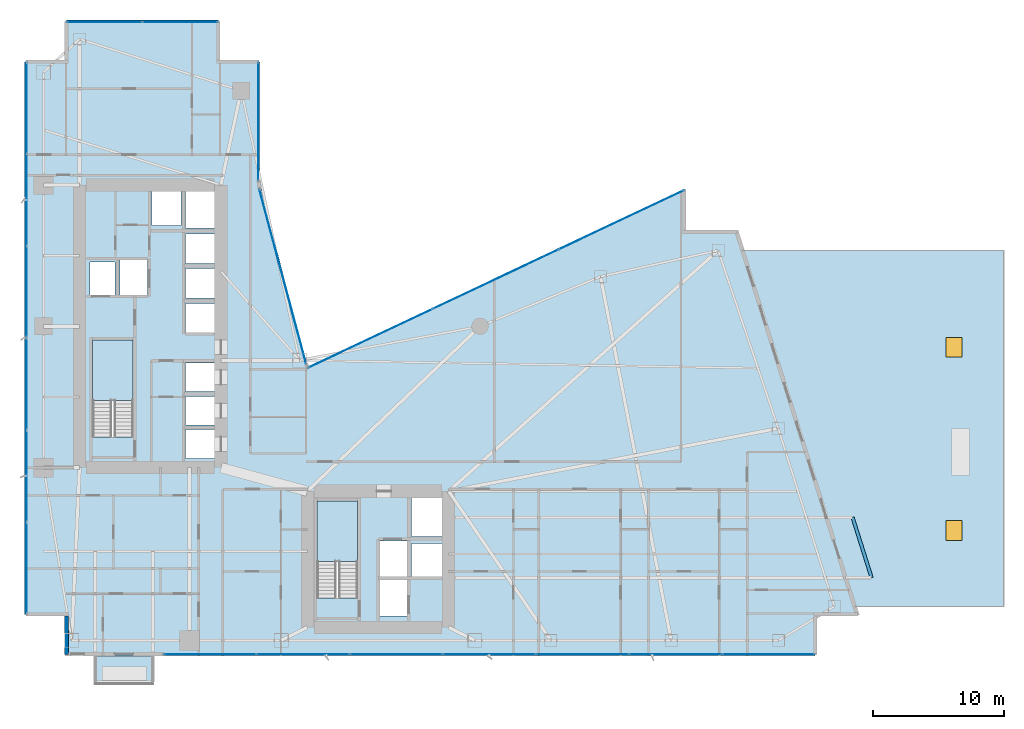
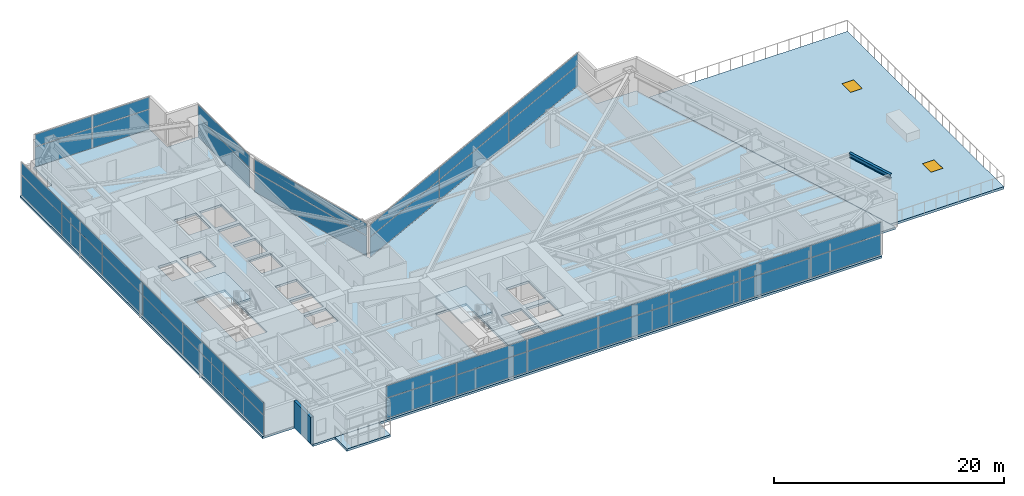
# One storey, part 21 of 30: 40 plates, 5 slabs, 2 windows, 1 beam, 1 wall, 2 openings, 8 elements without a shape of their own.
"""IFC4 building model written with IfcOpenShell, lengths in metres."""

from ifc_helpers import new_model, si_unit, direction, frame, frame_2d, origin, origin_2d, place, context, subcontext, project, spatial, polyline, rectangle, i_section, outline, extrude, material, layer, layer_set, material_profile, profile_set, type_object, element, fill, aggregate, save


model = new_model("IFC4")

# Units and contexts
model_context = context("Model", 3, precision=1e-05, world=origin(), true_north=direction((0.0, 1.0)))
body_context = subcontext(model_context, "Body", "Model", "MODEL_VIEW")
ifc_project = project(units=[si_unit("LENGTHUNIT", "METRE"), si_unit("AREAUNIT", "SQUARE_METRE"), si_unit("VOLUMEUNIT", "CUBIC_METRE"), si_unit("PLANEANGLEUNIT", "RADIAN"), si_unit("MASSUNIT", "GRAM", prefix="KILO")], contexts=[model_context])

# Site, building, storey
site_placement = place(None, origin())
site = spatial("IfcSite", under=ifc_project, at=site_placement, CompositionType="ELEMENT")
building_placement = place(site_placement, origin())
building = spatial("IfcBuilding", under=site, at=building_placement, Name="Calvorn Quay Hotel", CompositionType="ELEMENT")
storey_placement = place(building_placement, frame((0.0, 0.0, 27.0)))
storey = spatial("IfcBuildingStorey", under=building, at=storey_placement, Name="L05", CompositionType="ELEMENT", Elevation=27.0)

# Beam
ifc_material_1 = material(Name="Steel Q355B", Category="steel")
ifc_material_profile = material_profile(ifc_material_1, i_section(OverallWidth=0.25, OverallDepth=0.449951171875, WebThickness=0.011962890625, FlangeThickness=0.01611328125, FilletRadius=0.01611328125, at=origin_2d()), Name="HN450x250x12x16")
ifc_profile_set = profile_set([ifc_material_profile], Name="Steel Q355B")
beam_type = type_object("IfcBeamType", Name="BM-CANT-BALC", PredefinedType="BEAM", material=ifc_profile_set)
beam_placement = place(storey_placement, frame((64.7080078125, 8.39990234375, 3.31494140625), z_axis=(-0.300620172346, 0.953743944662, 0.0), x_axis=(-0.953743944662, -0.300620172346, 0.0)))
element("IfcBeam", 1, at=beam_placement, inside=storey, type_object=beam_type, Name="Beam BCBO-L06-1", PredefinedType="BEAM", context=body_context, shape_type="SweptSolid", body=[
    extrude(i_section(OverallWidth=0.25, OverallDepth=0.449951171875, WebThickness=0.011962890625, FlangeThickness=0.01611328125, FilletRadius=0.01611328125, at=origin_2d()), origin(), (0.0, 0.0, 1.0), 4.8232421875),
])

# Curtain wall, plates
ifc_material_2 = material(Name="Pale Anodised Aluminium and Low-E Glass", Category="aluminium")
ifc_layer_1 = layer(ifc_material_2, 0.219970703125)
ifc_layer_set_1 = layer_set([ifc_layer_1], Name="CW-SYS-Z1")
curtain_wall_type = type_object("IfcCurtainWallType", Name="CW-SYS-Z1", PredefinedType="NOTDEFINED", material=ifc_layer_set_1)
curtain_wall_1_placement = place(storey_placement, origin())
curtain_wall_1 = element("IfcCurtainWall", 2, at=curtain_wall_1_placement, inside=storey, type_object=curtain_wall_type, Name="Tower West Curtain Wall (L05)", PredefinedType="NOTDEFINED")
ifc_material_3 = material(Name="Low-E Laminated Double Glazing", Category="glass")
ifc_layer_2 = layer(ifc_material_3, 0.028076171875)
ifc_layer_set_2 = layer_set([ifc_layer_2], Name="CW-SYS-Z1-PAN")
plate_type = type_object("IfcPlateType", Name="CW-SYS-Z1-PAN", PredefinedType="CURTAIN_PANEL", material=ifc_layer_set_2)
plate_1_placement = place(storey_placement, frame((0.14990234375, 9.131591796875, 0.06005859375), z_axis=(0.0, 0.0, 1.0), x_axis=(0.0, 1.0, 0.0)))
plate_1 = element("IfcPlate", 3, at=plate_1_placement, type_object=plate_type, Name="CW-L05-W panel 1.1", PredefinedType="CURTAIN_PANEL", context=body_context, shape_type="SweptSolid", body=[
    extrude(rectangle(XDim=6.943359375, YDim=0.028076171875, at=origin_2d()), origin(), (0.0, 0.0, 1.0), 2.110107421875),
])
plate_2_placement = place(storey_placement, frame((0.14990234375, 9.131591796875, 2.22998046875), z_axis=(0.0, 0.0, 1.0), x_axis=(0.0, 1.0, 0.0)))
plate_2 = element("IfcPlate", 4, at=plate_2_placement, type_object=plate_type, Name="CW-L05-W panel 1.2", PredefinedType="CURTAIN_PANEL", context=body_context, shape_type="SweptSolid", body=[
    extrude(rectangle(XDim=6.943359375, YDim=0.028076171875, at=origin_2d()), origin(), (0.0, 0.0, 1.0), 1.27001953125),
])
plate_3_placement = place(storey_placement, frame((0.14990234375, 16.14990234375, 0.06005859375), z_axis=(0.0, 0.0, 1.0), x_axis=(0.0, 1.0, 0.0)))
plate_3 = element("IfcPlate", 5, at=plate_3_placement, type_object=plate_type, Name="CW-L05-W panel 2.1", PredefinedType="CURTAIN_PANEL", context=body_context, shape_type="SweptSolid", body=[
    extrude(rectangle(XDim=6.973388671875, YDim=0.028076171875, at=origin_2d()), origin(), (0.0, 0.0, 1.0), 2.110107421875),
])
plate_4_placement = place(storey_placement, frame((0.14990234375, 16.14990234375, 2.22998046875), z_axis=(0.0, 0.0, 1.0), x_axis=(0.0, 1.0, 0.0)))
plate_4 = element("IfcPlate", 6, at=plate_4_placement, type_object=plate_type, Name="CW-L05-W panel 2.2", PredefinedType="CURTAIN_PANEL", context=body_context, shape_type="SweptSolid", body=[
    extrude(rectangle(XDim=6.973388671875, YDim=0.028076171875, at=origin_2d()), origin(), (0.0, 0.0, 1.0), 1.27001953125),
])
plate_5_placement = place(storey_placement, frame((0.14990234375, 23.183349609375, 0.06005859375), z_axis=(0.0, 0.0, 1.0), x_axis=(0.0, 1.0, 0.0)))
plate_5 = element("IfcPlate", 7, at=plate_5_placement, type_object=plate_type, Name="CW-L05-W panel 3.1", PredefinedType="CURTAIN_PANEL", context=body_context, shape_type="SweptSolid", body=[
    extrude(rectangle(XDim=6.973388671875, YDim=0.028076171875, at=origin_2d()), origin(), (0.0, 0.0, 1.0), 2.110107421875),
])
plate_6_placement = place(storey_placement, frame((0.14990234375, 23.183349609375, 2.22998046875), z_axis=(0.0, 0.0, 1.0), x_axis=(0.0, 1.0, 0.0)))
plate_6 = element("IfcPlate", 8, at=plate_6_placement, type_object=plate_type, Name="CW-L05-W panel 3.2", PredefinedType="CURTAIN_PANEL", context=body_context, shape_type="SweptSolid", body=[
    extrude(rectangle(XDim=6.973388671875, YDim=0.028076171875, at=origin_2d()), origin(), (0.0, 0.0, 1.0), 1.27001953125),
])
plate_7_placement = place(storey_placement, frame((0.14990234375, 30.216552734375, 0.06005859375), z_axis=(0.0, 0.0, 1.0), x_axis=(0.0, 1.0, 0.0)))
plate_7 = element("IfcPlate", 9, at=plate_7_placement, type_object=plate_type, Name="CW-L05-W panel 4.1", PredefinedType="CURTAIN_PANEL", context=body_context, shape_type="SweptSolid", body=[
    extrude(rectangle(XDim=6.973388671875, YDim=0.028076171875, at=origin_2d()), origin(), (0.0, 0.0, 1.0), 2.110107421875),
])
plate_8_placement = place(storey_placement, frame((0.14990234375, 30.216552734375, 2.22998046875), z_axis=(0.0, 0.0, 1.0), x_axis=(0.0, 1.0, 0.0)))
plate_8 = element("IfcPlate", 10, at=plate_8_placement, type_object=plate_type, Name="CW-L05-W panel 4.2", PredefinedType="CURTAIN_PANEL", context=body_context, shape_type="SweptSolid", body=[
    extrude(rectangle(XDim=6.973388671875, YDim=0.028076171875, at=origin_2d()), origin(), (0.0, 0.0, 1.0), 1.27001953125),
])
plate_9_placement = place(storey_placement, frame((0.14990234375, 37.25, 0.06005859375), z_axis=(0.0, 0.0, 1.0), x_axis=(0.0, 1.0, 0.0)))
plate_9 = element("IfcPlate", 11, at=plate_9_placement, type_object=plate_type, Name="CW-L05-W panel 5.1", PredefinedType="CURTAIN_PANEL", context=body_context, shape_type="SweptSolid", body=[
    extrude(rectangle(XDim=6.973388671875, YDim=0.028076171875, at=origin_2d()), origin(), (0.0, 0.0, 1.0), 2.110107421875),
])
plate_10_placement = place(storey_placement, frame((0.14990234375, 37.25, 2.22998046875), z_axis=(0.0, 0.0, 1.0), x_axis=(0.0, 1.0, 0.0)))
plate_10 = element("IfcPlate", 12, at=plate_10_placement, type_object=plate_type, Name="CW-L05-W panel 5.2", PredefinedType="CURTAIN_PANEL", context=body_context, shape_type="SweptSolid", body=[
    extrude(rectangle(XDim=6.973388671875, YDim=0.028076171875, at=origin_2d()), origin(), (0.0, 0.0, 1.0), 1.27001953125),
])
plate_11_placement = place(storey_placement, frame((0.14990234375, 44.268310546875, 0.06005859375), z_axis=(0.0, 0.0, 1.0), x_axis=(0.0, 1.0, 0.0)))
plate_11 = element("IfcPlate", 13, at=plate_11_placement, type_object=plate_type, Name="CW-L05-W panel 6.1", PredefinedType="CURTAIN_PANEL", context=body_context, shape_type="SweptSolid", body=[
    extrude(rectangle(XDim=6.943359375, YDim=0.028076171875, at=origin_2d()), origin(), (0.0, 0.0, 1.0), 2.110107421875),
])
plate_12_placement = place(storey_placement, frame((0.14990234375, 44.268310546875, 2.22998046875), z_axis=(0.0, 0.0, 1.0), x_axis=(0.0, 1.0, 0.0)))
plate_12 = element("IfcPlate", 14, at=plate_12_placement, type_object=plate_type, Name="CW-L05-W panel 6.2", PredefinedType="CURTAIN_PANEL", context=body_context, shape_type="SweptSolid", body=[
    extrude(rectangle(XDim=6.943359375, YDim=0.028076171875, at=origin_2d()), origin(), (0.0, 0.0, 1.0), 1.27001953125),
])
aggregate(curtain_wall_1, [plate_1, plate_2, plate_3, plate_4, plate_5, plate_6, plate_7, plate_8, plate_9, plate_10, plate_11, plate_12])

curtain_wall_2_placement = place(storey_placement, origin())
curtain_wall_2 = element("IfcCurtainWall", 15, at=curtain_wall_2_placement, inside=storey, type_object=curtain_wall_type, Name="Tower South Waterfront Curtain Wall (L05)", PredefinedType="NOTDEFINED")
plate_13_placement = place(storey_placement, frame((14.172119140625, 2.550048828125, 0.06005859375), z_axis=(0.0, 0.0, 1.0), x_axis=(1.0, 0.0, 0.0)))
plate_13 = element("IfcPlate", 16, at=plate_13_placement, type_object=plate_type, Name="CW-L05-S panel 1.1", PredefinedType="CURTAIN_PANEL", context=body_context, shape_type="SweptSolid", body=[
    extrude(rectangle(XDim=7.024169921875, YDim=0.028076171875, at=origin_2d()), origin(), (0.0, 0.0, 1.0), 2.110107421875),
])
plate_14_placement = place(storey_placement, frame((14.172119140625, 2.550048828125, 2.22998046875), z_axis=(0.0, 0.0, 1.0), x_axis=(1.0, 0.0, 0.0)))
plate_14 = element("IfcPlate", 17, at=plate_14_placement, type_object=plate_type, Name="CW-L05-S panel 1.2", PredefinedType="CURTAIN_PANEL", context=body_context, shape_type="SweptSolid", body=[
    extrude(rectangle(XDim=7.024169921875, YDim=0.028076171875, at=origin_2d()), origin(), (0.0, 0.0, 1.0), 1.27001953125),
])
plate_15_placement = place(storey_placement, frame((21.271484375, 2.550048828125, 0.06005859375), z_axis=(0.0, 0.0, 1.0), x_axis=(1.0, 0.0, 0.0)))
plate_15 = element("IfcPlate", 18, at=plate_15_placement, type_object=plate_type, Name="CW-L05-S panel 2.1", PredefinedType="CURTAIN_PANEL", context=body_context, shape_type="SweptSolid", body=[
    extrude(rectangle(XDim=7.05419921875, YDim=0.028076171875, at=origin_2d()), origin(), (0.0, 0.0, 1.0), 2.110107421875),
])
plate_16_placement = place(storey_placement, frame((21.271484375, 2.550048828125, 2.22998046875), z_axis=(0.0, 0.0, 1.0), x_axis=(1.0, 0.0, 0.0)))
plate_16 = element("IfcPlate", 19, at=plate_16_placement, type_object=plate_type, Name="CW-L05-S panel 2.2", PredefinedType="CURTAIN_PANEL", context=body_context, shape_type="SweptSolid", body=[
    extrude(rectangle(XDim=7.05419921875, YDim=0.028076171875, at=origin_2d()), origin(), (0.0, 0.0, 1.0), 1.27001953125),
])
plate_17_placement = place(storey_placement, frame((28.3857421875, 2.550048828125, 0.06005859375), z_axis=(0.0, 0.0, 1.0), x_axis=(1.0, 0.0, 0.0)))
plate_17 = element("IfcPlate", 20, at=plate_17_placement, type_object=plate_type, Name="CW-L05-S panel 3.1", PredefinedType="CURTAIN_PANEL", context=body_context, shape_type="SweptSolid", body=[
    extrude(rectangle(XDim=7.05419921875, YDim=0.028076171875, at=origin_2d()), origin(), (0.0, 0.0, 1.0), 2.110107421875),
])
plate_18_placement = place(storey_placement, frame((28.3857421875, 2.550048828125, 2.22998046875), z_axis=(0.0, 0.0, 1.0), x_axis=(1.0, 0.0, 0.0)))
plate_18 = element("IfcPlate", 21, at=plate_18_placement, type_object=plate_type, Name="CW-L05-S panel 3.2", PredefinedType="CURTAIN_PANEL", context=body_context, shape_type="SweptSolid", body=[
    extrude(rectangle(XDim=7.05419921875, YDim=0.028076171875, at=origin_2d()), origin(), (0.0, 0.0, 1.0), 1.27001953125),
])
plate_19_placement = place(storey_placement, frame((35.5, 2.550048828125, 0.06005859375), z_axis=(0.0, 0.0, 1.0), x_axis=(1.0, 0.0, 0.0)))
plate_19 = element("IfcPlate", 22, at=plate_19_placement, type_object=plate_type, Name="CW-L05-S panel 4.1", PredefinedType="CURTAIN_PANEL", context=body_context, shape_type="SweptSolid", body=[
    extrude(rectangle(XDim=7.05419921875, YDim=0.028076171875, at=origin_2d()), origin(), (0.0, 0.0, 1.0), 2.110107421875),
])
plate_20_placement = place(storey_placement, frame((35.5, 2.550048828125, 2.22998046875), z_axis=(0.0, 0.0, 1.0), x_axis=(1.0, 0.0, 0.0)))
plate_20 = element("IfcPlate", 23, at=plate_20_placement, type_object=plate_type, Name="CW-L05-S panel 4.2", PredefinedType="CURTAIN_PANEL", context=body_context, shape_type="SweptSolid", body=[
    extrude(rectangle(XDim=7.05419921875, YDim=0.028076171875, at=origin_2d()), origin(), (0.0, 0.0, 1.0), 1.27001953125),
])
plate_21_placement = place(storey_placement, frame((42.6142578125, 2.550048828125, 0.06005859375), z_axis=(0.0, 0.0, 1.0), x_axis=(1.0, 0.0, 0.0)))
plate_21 = element("IfcPlate", 24, at=plate_21_placement, type_object=plate_type, Name="CW-L05-S panel 5.1", PredefinedType="CURTAIN_PANEL", context=body_context, shape_type="SweptSolid", body=[
    extrude(rectangle(XDim=7.05419921875, YDim=0.028076171875, at=origin_2d()), origin(), (0.0, 0.0, 1.0), 2.110107421875),
])
plate_22_placement = place(storey_placement, frame((42.6142578125, 2.550048828125, 2.22998046875), z_axis=(0.0, 0.0, 1.0), x_axis=(1.0, 0.0, 0.0)))
plate_22 = element("IfcPlate", 25, at=plate_22_placement, type_object=plate_type, Name="CW-L05-S panel 5.2", PredefinedType="CURTAIN_PANEL", context=body_context, shape_type="SweptSolid", body=[
    extrude(rectangle(XDim=7.05419921875, YDim=0.028076171875, at=origin_2d()), origin(), (0.0, 0.0, 1.0), 1.27001953125),
])
plate_23_placement = place(storey_placement, frame((49.728515625, 2.550048828125, 0.06005859375), z_axis=(0.0, 0.0, 1.0), x_axis=(1.0, 0.0, 0.0)))
plate_23 = element("IfcPlate", 26, at=plate_23_placement, type_object=plate_type, Name="CW-L05-S panel 6.1", PredefinedType="CURTAIN_PANEL", context=body_context, shape_type="SweptSolid", body=[
    extrude(rectangle(XDim=7.05419921875, YDim=0.028076171875, at=origin_2d()), origin(), (0.0, 0.0, 1.0), 2.110107421875),
])
plate_24_placement = place(storey_placement, frame((49.728515625, 2.550048828125, 2.22998046875), z_axis=(0.0, 0.0, 1.0), x_axis=(1.0, 0.0, 0.0)))
plate_24 = element("IfcPlate", 27, at=plate_24_placement, type_object=plate_type, Name="CW-L05-S panel 6.2", PredefinedType="CURTAIN_PANEL", context=body_context, shape_type="SweptSolid", body=[
    extrude(rectangle(XDim=7.05419921875, YDim=0.028076171875, at=origin_2d()), origin(), (0.0, 0.0, 1.0), 1.27001953125),
])
plate_25_placement = place(storey_placement, frame((56.827880859375, 2.550048828125, 0.06005859375), z_axis=(0.0, 0.0, 1.0), x_axis=(1.0, 0.0, 0.0)))
plate_25 = element("IfcPlate", 28, at=plate_25_placement, type_object=plate_type, Name="CW-L05-S panel 7.1", PredefinedType="CURTAIN_PANEL", context=body_context, shape_type="SweptSolid", body=[
    extrude(rectangle(XDim=7.024169921875, YDim=0.028076171875, at=origin_2d()), origin(), (0.0, 0.0, 1.0), 2.110107421875),
])
plate_26_placement = place(storey_placement, frame((56.827880859375, 2.550048828125, 2.22998046875), z_axis=(0.0, 0.0, 1.0), x_axis=(1.0, 0.0, 0.0)))
plate_26 = element("IfcPlate", 29, at=plate_26_placement, type_object=plate_type, Name="CW-L05-S panel 7.2", PredefinedType="CURTAIN_PANEL", context=body_context, shape_type="SweptSolid", body=[
    extrude(rectangle(XDim=7.024169921875, YDim=0.028076171875, at=origin_2d()), origin(), (0.0, 0.0, 1.0), 1.27001953125),
])
aggregate(curtain_wall_2, [plate_13, plate_14, plate_15, plate_16, plate_17, plate_18, plate_19, plate_20, plate_21, plate_22, plate_23, plate_24, plate_25, plate_26])

curtain_wall_3_placement = place(storey_placement, origin())
curtain_wall_3 = element("IfcCurtainWall", 30, at=curtain_wall_3_placement, inside=storey, type_object=curtain_wall_type, Name="Inner Court Curtain Wall L05-NE1", PredefinedType="NOTDEFINED")
plate_27_placement = place(storey_placement, frame((45.58642578125, 35.726806640625, 0.06005859375), z_axis=(0.0, 0.0, 1.0), x_axis=(-0.904248646743, -0.427006305415, 0.0)))
plate_27 = element("IfcPlate", 31, at=plate_27_placement, type_object=plate_type, Name="CW-L05-NE1 panel 1.1", PredefinedType="CURTAIN_PANEL", context=body_context, shape_type="SweptSolid", body=[
    extrude(rectangle(XDim=10.526611328125, YDim=0.028076171875, at=origin_2d()), origin(), (0.0, 0.0, 1.0), 2.110107421875),
])
plate_28_placement = place(storey_placement, frame((45.58642578125, 35.726806640625, 2.22998046875), z_axis=(0.0, 0.0, 1.0), x_axis=(-0.904248646743, -0.427006305415, 0.0)))
plate_28 = element("IfcPlate", 32, at=plate_28_placement, type_object=plate_type, Name="CW-L05-NE1 panel 1.2", PredefinedType="CURTAIN_PANEL", context=body_context, shape_type="SweptSolid", body=[
    extrude(rectangle(XDim=10.526611328125, YDim=0.028076171875, at=origin_2d()), origin(), (0.0, 0.0, 1.0), 1.27001953125),
])
plate_29_placement = place(storey_placement, frame((36.0, 31.199951171875, 0.06005859375), z_axis=(0.0, 0.0, 1.0), x_axis=(-0.904248646743, -0.427006305415, 0.0)))
plate_29 = element("IfcPlate", 33, at=plate_29_placement, type_object=plate_type, Name="CW-L05-NE1 panel 2.1", PredefinedType="CURTAIN_PANEL", context=body_context, shape_type="SweptSolid", body=[
    extrude(rectangle(XDim=10.556640625, YDim=0.028076171875, at=origin_2d()), origin(), (0.0, 0.0, 1.0), 2.110107421875),
])
plate_30_placement = place(storey_placement, frame((36.0, 31.199951171875, 2.22998046875), z_axis=(0.0, 0.0, 1.0), x_axis=(-0.904248646743, -0.427006305415, 0.0)))
plate_30 = element("IfcPlate", 34, at=plate_30_placement, type_object=plate_type, Name="CW-L05-NE1 panel 2.2", PredefinedType="CURTAIN_PANEL", context=body_context, shape_type="SweptSolid", body=[
    extrude(rectangle(XDim=10.556640625, YDim=0.028076171875, at=origin_2d()), origin(), (0.0, 0.0, 1.0), 1.27001953125),
])
plate_31_placement = place(storey_placement, frame((26.41357421875, 26.673095703125, 0.06005859375), z_axis=(0.0, 0.0, 1.0), x_axis=(-0.904248646743, -0.427006305415, 0.0)))
plate_31 = element("IfcPlate", 35, at=plate_31_placement, type_object=plate_type, Name="CW-L05-NE1 panel 3.1", PredefinedType="CURTAIN_PANEL", context=body_context, shape_type="SweptSolid", body=[
    extrude(rectangle(XDim=10.526611328125, YDim=0.028076171875, at=origin_2d()), origin(), (0.0, 0.0, 1.0), 2.110107421875),
])
plate_32_placement = place(storey_placement, frame((26.41357421875, 26.673095703125, 2.22998046875), z_axis=(0.0, 0.0, 1.0), x_axis=(-0.904248646743, -0.427006305415, 0.0)))
plate_32 = element("IfcPlate", 36, at=plate_32_placement, type_object=plate_type, Name="CW-L05-NE1 panel 3.2", PredefinedType="CURTAIN_PANEL", context=body_context, shape_type="SweptSolid", body=[
    extrude(rectangle(XDim=10.526611328125, YDim=0.028076171875, at=origin_2d()), origin(), (0.0, 0.0, 1.0), 1.27001953125),
])
aggregate(curtain_wall_3, [plate_27, plate_28, plate_29, plate_30, plate_31, plate_32])

curtain_wall_4_placement = place(storey_placement, origin())
curtain_wall_4 = element("IfcCurtainWall", 37, at=curtain_wall_4_placement, inside=storey, type_object=curtain_wall_type, Name="Inner Court Curtain Wall L05-IC1", PredefinedType="NOTDEFINED")
plate_33_placement = place(storey_placement, frame((19.72509765625, 31.39990234375, 0.06005859375), z_axis=(0.0, 0.0, 1.0), x_axis=(-0.25877913024, 0.96593652056, 0.0)))
plate_33 = element("IfcPlate", 38, at=plate_33_placement, type_object=plate_type, Name="CW-L05-IC1 panel 1.1", PredefinedType="CURTAIN_PANEL", context=body_context, shape_type="SweptSolid", body=[
    extrude(rectangle(XDim=13.814697265625, YDim=0.028076171875, at=origin_2d()), origin(), (0.0, 0.0, 1.0), 2.110107421875),
])
plate_34_placement = place(storey_placement, frame((19.72509765625, 31.39990234375, 2.22998046875), z_axis=(0.0, 0.0, 1.0), x_axis=(-0.25877913024, 0.96593652056, 0.0)))
plate_34 = element("IfcPlate", 39, at=plate_34_placement, type_object=plate_type, Name="CW-L05-IC1 panel 1.2", PredefinedType="CURTAIN_PANEL", context=body_context, shape_type="SweptSolid", body=[
    extrude(rectangle(XDim=13.814697265625, YDim=0.028076171875, at=origin_2d()), origin(), (0.0, 0.0, 1.0), 1.27001953125),
])
aggregate(curtain_wall_4, [plate_33, plate_34])

curtain_wall_5_placement = place(storey_placement, origin())
curtain_wall_5 = element("IfcCurtainWall", 40, at=curtain_wall_5_placement, inside=storey, type_object=curtain_wall_type, Name="Inner Court Curtain Wall L05-IC2", PredefinedType="NOTDEFINED")
plate_35_placement = place(storey_placement, frame((17.85009765625, 43.239990234375, 0.06005859375), z_axis=(0.0, 0.0, 1.0), x_axis=(0.0, 1.0, 0.0)))
plate_35 = element("IfcPlate", 41, at=plate_35_placement, type_object=plate_type, Name="CW-L05-IC2 panel 1.1", PredefinedType="CURTAIN_PANEL", context=body_context, shape_type="SweptSolid", body=[
    extrude(rectangle(XDim=9.0, YDim=0.028076171875, at=origin_2d()), origin(), (0.0, 0.0, 1.0), 2.110107421875),
])
plate_36_placement = place(storey_placement, frame((17.85009765625, 43.239990234375, 2.22998046875), z_axis=(0.0, 0.0, 1.0), x_axis=(0.0, 1.0, 0.0)))
plate_36 = element("IfcPlate", 42, at=plate_36_placement, type_object=plate_type, Name="CW-L05-IC2 panel 1.2", PredefinedType="CURTAIN_PANEL", context=body_context, shape_type="SweptSolid", body=[
    extrude(rectangle(XDim=9.0, YDim=0.028076171875, at=origin_2d()), origin(), (0.0, 0.0, 1.0), 1.27001953125),
])
aggregate(curtain_wall_5, [plate_35, plate_36])

curtain_wall_6_placement = place(storey_placement, origin())
curtain_wall_6 = element("IfcCurtainWall", 43, at=curtain_wall_6_placement, inside=storey, type_object=curtain_wall_type, Name="Inner Court Curtain Wall L05-N1", PredefinedType="NOTDEFINED")
plate_37_placement = place(storey_placement, frame((11.885009765625, 50.85009765625, 0.06005859375), z_axis=(0.0, 0.0, 1.0), x_axis=(-1.0, 0.0, 0.0)))
plate_37 = element("IfcPlate", 44, at=plate_37_placement, type_object=plate_type, Name="CW-L05-N1 panel 1.1", PredefinedType="CURTAIN_PANEL", context=body_context, shape_type="SweptSolid", body=[
    extrude(rectangle(XDim=5.7099609375, YDim=0.028076171875, at=origin_2d()), origin(), (0.0, 0.0, 1.0), 2.110107421875),
])
plate_38_placement = place(storey_placement, frame((11.885009765625, 50.85009765625, 2.22998046875), z_axis=(0.0, 0.0, 1.0), x_axis=(-1.0, 0.0, 0.0)))
plate_38 = element("IfcPlate", 45, at=plate_38_placement, type_object=plate_type, Name="CW-L05-N1 panel 1.2", PredefinedType="CURTAIN_PANEL", context=body_context, shape_type="SweptSolid", body=[
    extrude(rectangle(XDim=5.7099609375, YDim=0.028076171875, at=origin_2d()), origin(), (0.0, 0.0, 1.0), 1.27001953125),
])
plate_39_placement = place(storey_placement, frame((6.114990234375, 50.85009765625, 0.06005859375), z_axis=(0.0, 0.0, 1.0), x_axis=(-1.0, 0.0, 0.0)))
plate_39 = element("IfcPlate", 46, at=plate_39_placement, type_object=plate_type, Name="CW-L05-N1 panel 2.1", PredefinedType="CURTAIN_PANEL", context=body_context, shape_type="SweptSolid", body=[
    extrude(rectangle(XDim=5.7099609375, YDim=0.028076171875, at=origin_2d()), origin(), (0.0, 0.0, 1.0), 2.110107421875),
])
plate_40_placement = place(storey_placement, frame((6.114990234375, 50.85009765625, 2.22998046875), z_axis=(0.0, 0.0, 1.0), x_axis=(-1.0, 0.0, 0.0)))
plate_40 = element("IfcPlate", 47, at=plate_40_placement, type_object=plate_type, Name="CW-L05-N1 panel 2.2", PredefinedType="CURTAIN_PANEL", context=body_context, shape_type="SweptSolid", body=[
    extrude(rectangle(XDim=5.7099609375, YDim=0.028076171875, at=origin_2d()), origin(), (0.0, 0.0, 1.0), 1.27001953125),
])
aggregate(curtain_wall_6, [plate_37, plate_38, plate_39, plate_40])

# Slab
ifc_material_4 = material(Name="Concrete C40", Category="concrete")
ifc_layer_3 = layer(ifc_material_4, 0.239990234375)
ifc_layer_set_3 = layer_set([ifc_layer_3], Name="SLB-BALCONY-220")
slab_type_1 = type_object("IfcSlabType", Name="SLB-BALCONY-220", PredefinedType="FLOOR", material=ifc_layer_set_3)
slab_1_placement = place(storey_placement, frame((0.0, 0.0, -0.239990234375)))
element("IfcSlab", 48, at=slab_1_placement, inside=storey, type_object=slab_type_1, Name="Tree Balcony Slab L05-BALC-S", PredefinedType="FLOOR", context=body_context, shape_type="SweptSolid", body=[
    extrude(outline(polyline([(5.39990234375, 0.2900390625), (9.800048828125, 0.2900390625), (9.800048828125, 2.389892578125), (5.39990234375, 2.389892578125), (5.39990234375, 0.2900390625)])), origin(), (0.0, 0.0, 1.0), 0.239990234375),
])

# Stair, slab
ifc_material_5 = material(Name="Concrete C40", Category="concrete")
stair_type = type_object("IfcStairType", Name="STR-CORE-DOGLEG", PredefinedType="HALF_TURN_STAIR", material=ifc_material_5)
stair_1_placement = place(storey_placement, origin())
stair_1 = element("IfcStair", 49, at=stair_1_placement, inside=storey, type_object=stair_type, Name="L05 ST-W", PredefinedType="HALF_TURN_STAIR")
ifc_material_6 = material(Name="Concrete C40", Category="concrete")
ifc_layer_4 = layer(ifc_material_6, 0.199951171875)
ifc_layer_set_4 = layer_set([ifc_layer_4], Name="SLB-STAIR-LANDING-200")
slab_type_2 = type_object("IfcSlabType", Name="SLB-STAIR-LANDING-200", PredefinedType="LANDING", material=ifc_layer_set_4)
slab_2_placement = place(storey_placement, frame((0.0, 0.0, 1.699951171875)))
slab_2 = element("IfcSlab", 50, at=slab_2_placement, type_object=slab_type_2, Name="ST-W landing 1", PredefinedType="LANDING", context=body_context, shape_type="SweptSolid", body=[
    extrude(outline(polyline([(8.300048828125, 21.949951171875), (8.300048828125, 26.550048828125), (5.199951171875, 26.550048828125), (5.199951171875, 21.949951171875), (8.300048828125, 21.949951171875)])), origin(), (0.0, 0.0, 1.0), 0.199951171875),
])
aggregate(stair_1, [slab_2])

stair_2_placement = place(storey_placement, origin())
stair_2 = element("IfcStair", 51, at=stair_2_placement, inside=storey, type_object=stair_type, Name="L05 ST-E", PredefinedType="HALF_TURN_STAIR")
slab_3_placement = place(storey_placement, frame((0.0, 0.0, 1.699951171875)))
slab_3 = element("IfcSlab", 52, at=slab_3_placement, type_object=slab_type_2, Name="ST-E landing 1", PredefinedType="LANDING", context=body_context, shape_type="SweptSolid", body=[
    extrude(outline(polyline([(25.449951171875, 9.64990234375), (25.449951171875, 14.25), (22.35009765625, 14.25), (22.35009765625, 9.64990234375), (25.449951171875, 9.64990234375)])), origin(), (0.0, 0.0, 1.0), 0.199951171875),
])
aggregate(stair_2, [slab_3])

# Slab, openings, windows
ifc_material_7 = material(Name="Concrete C40", Category="concrete")
ifc_layer_5 = layer(ifc_material_7, 0.260009765625)
ifc_layer_set_5 = layer_set([ifc_layer_5], Name="SLB-TERRACE-260")
slab_type_3 = type_object("IfcSlabType", Name="SLB-TERRACE-260", PredefinedType="ROOF", material=ifc_layer_set_5)
slab_4_placement = place(storey_placement, frame((0.0, 0.0, -0.260009765625)))
slab_4 = element("IfcSlab", 53, at=slab_4_placement, inside=storey, type_object=slab_type_3, Name="Podium Waterfront Roof Garden Terrace Slab", PredefinedType="ROOF", context=body_context, shape_type="SweptSolid", body=[
    extrude(outline(polyline([(63.430908203125, 6.199951171875), (74.800048828125, 6.199951171875), (74.800048828125, 33.39990234375), (54.861083984375, 33.39990234375), (63.430908203125, 6.199951171875)]), holes=[polyline([(70.39990234375, 11.25), (71.60009765625, 11.25), (71.60009765625, 12.75), (70.39990234375, 12.75), (70.39990234375, 11.25)]), polyline([(70.39990234375, 25.25), (71.60009765625, 25.25), (71.60009765625, 26.75), (70.39990234375, 26.75), (70.39990234375, 25.25)])]), origin(), (0.0, 0.0, 1.0), 0.260009765625),
])
opening_1_placement = place(slab_4_placement, frame((71.0, 12.0, 0.0)))
opening_1 = element("IfcOpeningElement", 54, at=opening_1_placement, cuts=slab_4, Name="Opening WRH-01", PredefinedType="OPENING", context=body_context, shape_type="SweptSolid", body=[
    extrude(rectangle(XDim=1.199951171875, YDim=1.5, at=origin_2d()), origin(), (0.0, 0.0, 1.0), 0.260009765625),
])
opening_2_placement = place(slab_4_placement, frame((71.0, 26.0, 0.0)))
opening_2 = element("IfcOpeningElement", 55, at=opening_2_placement, cuts=slab_4, Name="Opening WRH-02", PredefinedType="OPENING", context=body_context, shape_type="SweptSolid", body=[
    extrude(rectangle(XDim=1.199951171875, YDim=1.5, at=origin_2d()), origin(), (0.0, 0.0, 1.0), 0.260009765625),
])
ifc_material_8 = material(Name="Insulated Aluminium Roof Maintenance Hatch", Category="aluminium")
window_type = type_object("IfcWindowType", Name="WIN-ROOF-HATCH-1200x1500", PartitioningType="SINGLE_PANEL", PredefinedType="SKYLIGHT", material=ifc_material_8)
window_1_placement = place(opening_1_placement, frame((0.0, 0.0, 0.2099609375)))
window_1 = element("IfcWindow", 56, at=window_1_placement, inside=storey, type_object=window_type, Name="Podium Roof Maintenance Hatch WRH-01", OverallHeight=1.5, OverallWidth=1.199951171875, PartitioningType="SINGLE_PANEL", PredefinedType="SKYLIGHT", context=body_context, shape_type="SweptSolid", body=[
    extrude(rectangle(XDim=1.199951171875, YDim=1.5, at=origin_2d()), origin(), (0.0, 0.0, 1.0), 0.050048828125),
])
fill(opening_1, window_1)
window_2_placement = place(opening_2_placement, frame((0.0, 0.0, 0.2099609375)))
window_2 = element("IfcWindow", 57, at=window_2_placement, inside=storey, type_object=window_type, Name="Podium Roof Maintenance Hatch WRH-02", OverallHeight=1.5, OverallWidth=1.199951171875, PartitioningType="SINGLE_PANEL", PredefinedType="SKYLIGHT", context=body_context, shape_type="SweptSolid", body=[
    extrude(rectangle(XDim=1.199951171875, YDim=1.5, at=origin_2d()), origin(), (0.0, 0.0, 1.0), 0.050048828125),
])
fill(opening_2, window_2)

# Slab
ifc_material_9 = material(Name="Concrete C40", Category="concrete")
ifc_layer_6 = layer(ifc_material_9, 0.239990234375)
ifc_layer_set_6 = layer_set([ifc_layer_6], Name="SLB-TOWER-240")
slab_type_4 = type_object("IfcSlabType", Name="SLB-TOWER-240", PredefinedType="FLOOR", material=ifc_layer_set_6)
slab_5_placement = place(storey_placement, frame((0.0, 0.0, -0.239990234375)))
element("IfcSlab", 58, at=slab_5_placement, inside=storey, type_object=slab_type_4, Name="L05 Structural Floor Slab", PredefinedType="FLOOR", context=body_context, shape_type="SweptSolid", body=[
    extrude(outline(polyline([(0.0, 5.60009765625), (3.199951171875, 5.60009765625), (3.199951171875, 2.39990234375), (60.39990234375, 2.39990234375), (60.39990234375, 5.60009765625), (63.60009765625, 5.60009765625), (54.39990234375, 34.800048828125), (50.39990234375, 34.800048828125), (50.39990234375, 38.0), (21.60009765625, 24.39990234375), (18.0, 38.39990234375), (18.0, 47.800048828125), (14.800048828125, 47.800048828125), (14.800048828125, 51.0), (3.199951171875, 51.0), (3.199951171875, 47.800048828125), (0.0, 47.800048828125), (0.0, 5.60009765625)]), holes=[polyline([(5.199951171875, 19.156005859375), (8.300048828125, 19.156005859375), (8.300048828125, 26.550048828125), (5.199951171875, 26.550048828125), (5.199951171875, 19.156005859375)]), polyline([(22.35009765625, 6.85595703125), (25.449951171875, 6.85595703125), (25.449951171875, 14.25), (22.35009765625, 14.25), (22.35009765625, 6.85595703125)]), polyline([(5.0, 30.0), (6.89990234375, 30.0), (6.89990234375, 32.5), (5.0, 32.5), (5.0, 30.0)]), polyline([(7.300048828125, 30.0), (9.39990234375, 30.0), (9.39990234375, 32.64990234375), (7.300048828125, 32.64990234375), (7.300048828125, 30.0)]), polyline([(27.159912109375, 8.5), (29.2099609375, 8.5), (29.2099609375, 11.199951171875), (27.159912109375, 11.199951171875), (27.159912109375, 8.5)]), polyline([(27.159912109375, 5.449951171875), (29.2099609375, 5.449951171875), (29.2099609375, 8.199951171875), (27.159912109375, 8.199951171875), (27.159912109375, 5.449951171875)]), polyline([(12.300048828125, 17.5), (14.489990234375, 17.5), (14.489990234375, 19.699951171875), (12.300048828125, 19.699951171875), (12.300048828125, 17.5)]), polyline([(12.300048828125, 20.050048828125), (14.489990234375, 20.050048828125), (14.489990234375, 22.25), (12.300048828125, 22.25), (12.300048828125, 20.050048828125)]), polyline([(12.300048828125, 22.60009765625), (14.489990234375, 22.60009765625), (14.489990234375, 24.800048828125), (12.300048828125, 24.800048828125), (12.300048828125, 22.60009765625)]), polyline([(12.300048828125, 27.10009765625), (14.489990234375, 27.10009765625), (14.489990234375, 29.35009765625), (12.300048828125, 29.35009765625), (12.300048828125, 27.10009765625)]), polyline([(12.300048828125, 29.75), (14.489990234375, 29.75), (14.489990234375, 32.0), (12.300048828125, 32.0), (12.300048828125, 29.75)]), polyline([(12.300048828125, 32.39990234375), (14.489990234375, 32.39990234375), (14.489990234375, 34.64990234375), (12.300048828125, 34.64990234375), (12.300048828125, 32.39990234375)]), polyline([(12.300048828125, 35.10009765625), (14.489990234375, 35.10009765625), (14.489990234375, 37.889892578125), (12.300048828125, 37.889892578125), (12.300048828125, 35.10009765625)]), polyline([(9.75, 35.300048828125), (11.949951171875, 35.300048828125), (11.949951171875, 37.889892578125), (9.75, 37.889892578125), (9.75, 35.300048828125)]), polyline([(29.550048828125, 11.550048828125), (31.889892578125, 11.550048828125), (31.889892578125, 14.489990234375), (29.550048828125, 14.489990234375), (29.550048828125, 11.550048828125)]), polyline([(29.550048828125, 8.449951171875), (31.889892578125, 8.449951171875), (31.889892578125, 11.0), (29.550048828125, 11.0), (29.550048828125, 8.449951171875)])]), origin(), (0.0, 0.0, 1.0), 0.239990234375),
])

# Wall
ifc_material_10 = material(Name="Concrete C40", Category="concrete")
ifc_layer_7 = layer(ifc_material_10, 0.320068359375)
ifc_layer_set_7 = layer_set([ifc_layer_7], Name="WL-EXT-SPANDREL-320")
wall_type = type_object("IfcWallType", Name="WL-EXT-SPANDREL-320", PredefinedType="SOLIDWALL", material=ifc_layer_set_7)
wall_placement = place(storey_placement, frame((3.199951171875, 5.4599609375, 0.0), z_axis=(0.0, 0.0, 1.0), x_axis=(0.0, -1.0, 0.0)))
element("IfcWall", 59, at=wall_placement, inside=storey, type_object=wall_type, Name="Notched Corner Spandrel L05-SW2", PredefinedType="SOLIDWALL", context=body_context, shape_type="SweptSolid", body=[
    extrude(rectangle(XDim=2.93994140625, YDim=0.280029296875, at=frame_2d((1.469970703125, 0.0))), origin(), (0.0, 0.0, 1.0), 2.840087890625),
])

save(model, "model.ifc")
